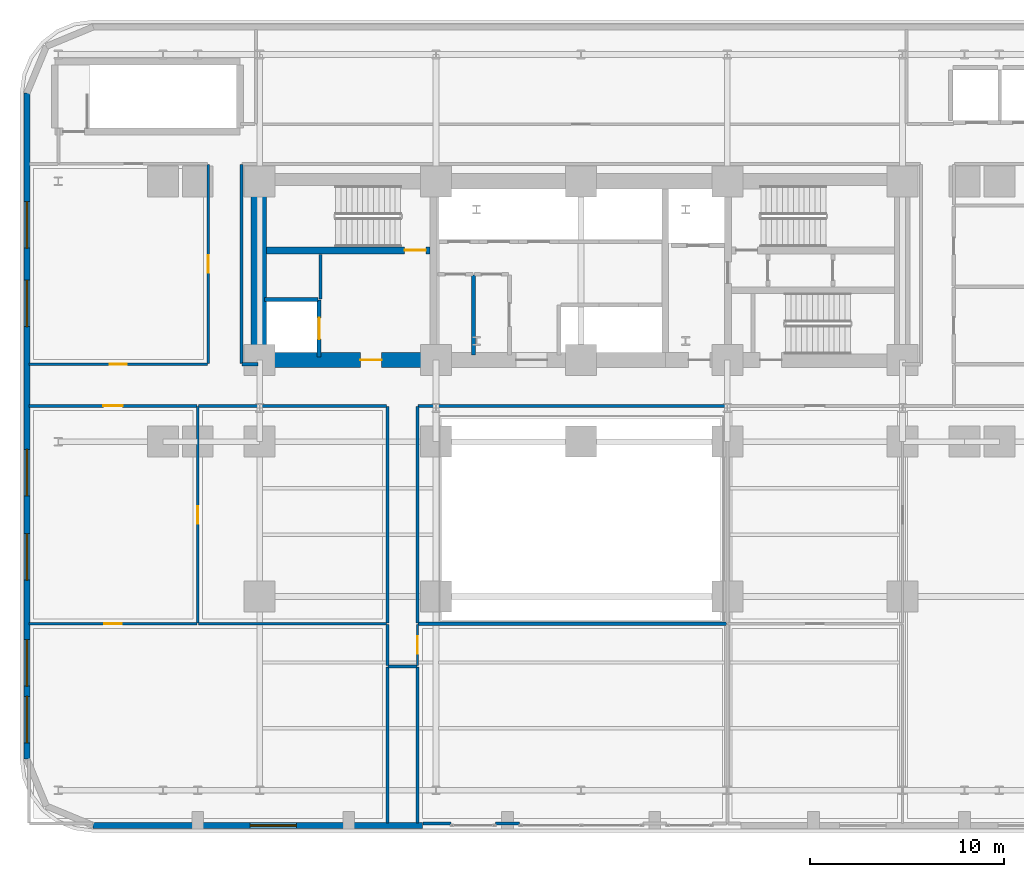
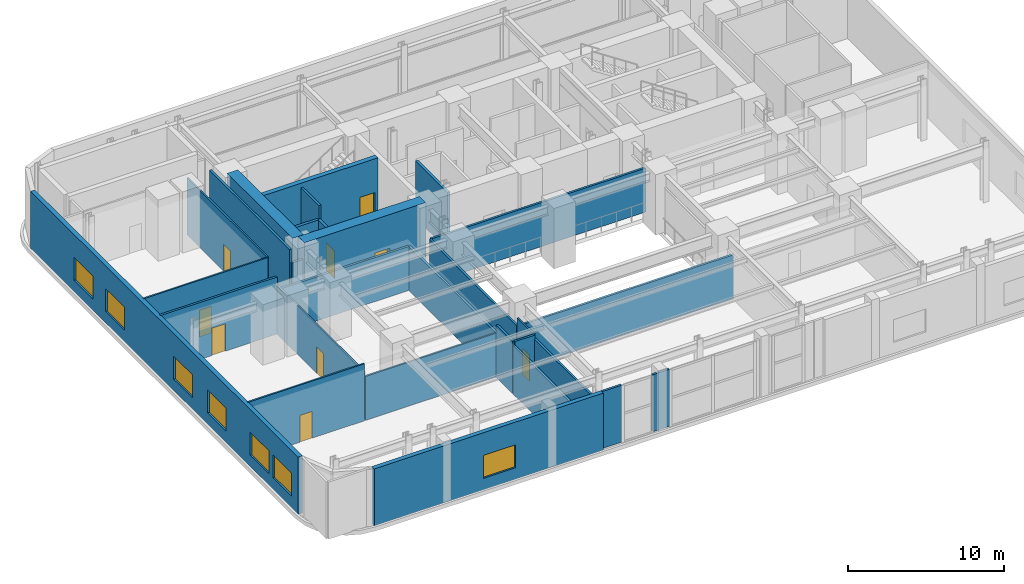
# One storey, part 6 of 15: 29 walls, 9 doors, 7 windows, 16 openings.
"""IFC4 building model written with IfcOpenShell, lengths in metres."""

from ifc_helpers import new_model, si_unit, direction, frame, frame_2d, origin, place, context, subcontext, project, spatial, rectangle, extrude, material, layer, layer_set, type_object, element, fill, save


model = new_model("IFC4")

# Units and contexts
model_context = context("Model", 3, precision=1e-05, world=origin(), true_north=direction((0.0, 1.0)))
body_context = subcontext(model_context, "Body", "Model", "MODEL_VIEW")
ifc_project = project(units=[si_unit("LENGTHUNIT", "METRE"), si_unit("AREAUNIT", "SQUARE_METRE"), si_unit("VOLUMEUNIT", "CUBIC_METRE"), si_unit("PLANEANGLEUNIT", "RADIAN"), si_unit("MASSUNIT", "GRAM", prefix="KILO")], contexts=[model_context])

# Site, building, storey
site_placement = place(None, origin())
site = spatial("IfcSite", under=ifc_project, at=site_placement, CompositionType="ELEMENT")
building_placement = place(site_placement, origin())
building = spatial("IfcBuilding", under=site, at=building_placement, Name="Zarnavel Station Tower", CompositionType="ELEMENT")
storey_placement = place(building_placement, frame((0.0, 0.0, 24.199951171875)))
storey = spatial("IfcBuildingStorey", under=building, at=storey_placement, Name="L06", CompositionType="ELEMENT", Elevation=24.199951171875)

# Wall, opening, door
ifc_material_1 = material(Name="Concrete C50/60", Category="concrete")
ifc_layer_1 = layer(ifc_material_1, 0.35009765625)
ifc_layer_set_1 = layer_set([ifc_layer_1], Name="CW_350")
wall_type_1 = type_object("IfcWallType", Name="CW_350", PredefinedType="SHEAR", material=ifc_layer_set_1)
wall_1_placement = place(storey_placement, frame((21.0048828125, 33.47998046875, 0.0), z_axis=(0.0, 0.0, 1.0), x_axis=(-1.0, 0.0, 0.0)))
wall_1 = element("IfcWall", 1, at=wall_1_placement, inside=storey, type_object=wall_type_1, Name="L06 Rear Core Shear Wall DIV-H1", PredefinedType="SHEAR", context=body_context, shape_type="SweptSolid", body=[
    extrude(rectangle(XDim=8.454833984375, YDim=0.35009765625, at=frame_2d((4.2275390625, 0.0))), origin(), (0.0, 0.0, 1.0), 4.800048828125),
])
opening_1_placement = place(wall_1_placement, frame((0.219970703125, 0.0, 0.0)))
opening_1 = element("IfcOpeningElement", 2, at=opening_1_placement, cuts=wall_1, Name="Opening FD01", PredefinedType="OPENING", context=body_context, shape_type="SweptSolid", body=[
    extrude(rectangle(XDim=1.10009765625, YDim=2.14990234375, at=frame_2d((0.550048828125, 1.074951171875))), frame((0.0, 0.18505859375, 0.0), z_axis=(0.0, -1.0, 0.0), x_axis=(1.0, 0.0, 0.0)), (0.0, 0.0, 1.0), 0.3701171875),
])
ifc_material_2 = material(Name="Painted Galvanised Steel and Hardwood Leaf", Category="steel")
door_type_1 = type_object("IfcDoorType", Name="ID_STAIR_1100", OperationType="NOTDEFINED", PredefinedType="DOOR", material=ifc_material_2)
door_1_placement = place(opening_1_placement, origin())
door_1 = element("IfcDoor", 3, at=door_1_placement, inside=storey, type_object=door_type_1, Name="L06 Stair ST1 Lobby Fire Door", OperationType="SINGLE_SWING_LEFT", OverallHeight=2.14990234375, OverallWidth=1.10009765625, PredefinedType="DOOR", context=body_context, shape_type="SweptSolid", body=[
    extrude(rectangle(XDim=1.10009765625, YDim=2.14990234375, at=frame_2d((0.550048828125, 1.074951171875))), frame((0.0, 0.02490234375, 0.0), z_axis=(0.0, -1.0, 0.0), x_axis=(1.0, 0.0, 0.0)), (0.0, 0.0, 1.0), 0.050048828125),
])
fill(opening_1, door_1)

ifc_material_3 = material(Name="Concrete C60/75", Category="concrete")
ifc_layer_2 = layer(ifc_material_3, 0.800048828125)
ifc_layer_set_2 = layer_set([ifc_layer_2], Name="CW_800")
wall_type_2 = type_object("IfcWallType", Name="CW_800", PredefinedType="SHEAR", material=ifc_layer_set_2)
wall_2_placement = place(storey_placement, frame((21.179931640625, 27.820068359375, 0.0), z_axis=(0.0, 0.0, 1.0), x_axis=(-1.0, 0.0, 0.0)))
wall_2 = element("IfcWall", 4, at=wall_2_placement, inside=storey, type_object=wall_type_2, Name="L06 Rear Core Shear Wall S-W", PredefinedType="SHEAR", context=body_context, shape_type="SweptSolid", body=[
    extrude(rectangle(XDim=9.030029296875, YDim=0.800048828125, at=frame_2d((4.51513671875, 0.0))), origin(), (0.0, 0.0, 1.0), 4.800048828125),
])
opening_2_placement = place(wall_2_placement, frame((2.679931640625, 0.0, 0.0)))
opening_2 = element("IfcOpeningElement", 5, at=opening_2_placement, cuts=wall_2, Name="Opening FD01", PredefinedType="OPENING", context=body_context, shape_type="SweptSolid", body=[
    extrude(rectangle(XDim=1.10009765625, YDim=2.14990234375, at=frame_2d((0.550048828125, 1.074951171875))), frame((0.0, 0.409912109375, 0.0), z_axis=(0.0, -1.0, 0.0), x_axis=(1.0, 0.0, 0.0)), (0.0, 0.0, 1.0), 0.820068359375),
])
door_2_placement = place(opening_2_placement, origin())
door_2 = element("IfcDoor", 6, at=door_2_placement, inside=storey, type_object=door_type_1, Name="L06 West Firefighting Lobby Door", OperationType="SINGLE_SWING_RIGHT", OverallHeight=2.14990234375, OverallWidth=1.10009765625, PredefinedType="DOOR", context=body_context, shape_type="SweptSolid", body=[
    extrude(rectangle(XDim=1.10009765625, YDim=2.14990234375, at=frame_2d((0.550048828125, 1.074951171875))), frame((0.0, 0.02490234375, 0.0), z_axis=(0.0, -1.0, 0.0), x_axis=(1.0, 0.0, 0.0)), (0.0, 0.0, 1.0), 0.050048828125),
])
fill(opening_2, door_2)

# Wall
wall_3_placement = place(storey_placement, frame((12.14990234375, 28.219970703125, 0.0), z_axis=(0.0, 0.0, 1.0), x_axis=(0.0, 1.0, 0.0)))
element("IfcWall", 7, at=wall_3_placement, inside=storey, type_object=wall_type_2, Name="L06 Rear Core Shear Wall W", PredefinedType="SHEAR", context=body_context, shape_type="SweptSolid", body=[
    extrude(rectangle(XDim=8.429931640625, YDim=0.800048828125, at=frame_2d((4.21484375, 0.0))), origin(), (0.0, 0.0, 1.0), 4.800048828125),
])

# Wall, openings, windows
ifc_material_4 = material(Name="Precast concrete C45/55 (Podium Basalt Frame)", Category="masonry")
ifc_layer_3 = layer(ifc_material_4, 0.320068359375)
ifc_layer_set_3 = layer_set([ifc_layer_3], Name="EW_BASALT_320")
wall_type_3 = type_object("IfcWallType", Name="EW_BASALT_320", PredefinedType="SOLIDWALL", material=ifc_layer_set_3)
wall_4_placement = place(storey_placement, frame((0.179931640625, 7.199951171875, 0.0), z_axis=(0.0, 0.0, 1.0), x_axis=(0.0, 1.0, 0.0)))
wall_4 = element("IfcWall", 8, at=wall_4_placement, inside=storey, type_object=wall_type_3, Name="L06 Exterior Basalt Masonry Frame Wall 09", PredefinedType="SOLIDWALL", context=body_context, shape_type="SweptSolid", body=[
    extrude(rectangle(XDim=34.400146484375, YDim=0.320068359375, at=frame_2d((17.2001953125, 0.0))), origin(), (0.0, 0.0, 1.0), 4.47998046875),
])
opening_3_placement = place(wall_4_placement, frame((22.35009765625, 0.0, 0.89990234375)))
opening_3 = element("IfcOpeningElement", 9, at=opening_3_placement, cuts=wall_4, Name="Opening WN03", PredefinedType="OPENING", context=body_context, shape_type="SweptSolid", body=[
    extrude(rectangle(XDim=2.39990234375, YDim=1.800048828125, at=frame_2d((1.199951171875, 0.89990234375))), frame((0.0, 0.169921875, 0.0), z_axis=(0.0, -1.0, 0.0), x_axis=(1.0, 0.0, 0.0)), (0.0, 0.0, 1.0), 0.340087890625),
])
opening_4_placement = place(wall_4_placement, frame((26.39990234375, 0.0, 0.89990234375)))
opening_4 = element("IfcOpeningElement", 10, at=opening_4_placement, cuts=wall_4, Name="Opening WN03", PredefinedType="OPENING", context=body_context, shape_type="SweptSolid", body=[
    extrude(rectangle(XDim=2.39990234375, YDim=1.800048828125, at=frame_2d((1.199951171875, 0.89990234375))), frame((0.0, 0.169921875, 0.0), z_axis=(0.0, -1.0, 0.0), x_axis=(1.0, 0.0, 0.0)), (0.0, 0.0, 1.0), 0.340087890625),
])
opening_5_placement = place(wall_4_placement, frame((0.8466796875, 0.0, 0.89990234375)))
opening_5 = element("IfcOpeningElement", 11, at=opening_5_placement, cuts=wall_4, Name="Opening WN03", PredefinedType="OPENING", context=body_context, shape_type="SweptSolid", body=[
    extrude(rectangle(XDim=2.39990234375, YDim=1.800048828125, at=frame_2d((1.199951171875, 0.89990234375))), frame((0.0, 0.169921875, 0.0), z_axis=(0.0, -1.0, 0.0), x_axis=(1.0, 0.0, 0.0)), (0.0, 0.0, 1.0), 0.340087890625),
])
opening_6_placement = place(wall_4_placement, frame((3.773193359375, 0.0, 0.89990234375)))
opening_6 = element("IfcOpeningElement", 12, at=opening_6_placement, cuts=wall_4, Name="Opening WN03", PredefinedType="OPENING", context=body_context, shape_type="SweptSolid", body=[
    extrude(rectangle(XDim=2.39990234375, YDim=1.800048828125, at=frame_2d((1.199951171875, 0.89990234375))), frame((0.0, 0.169921875, 0.0), z_axis=(0.0, -1.0, 0.0), x_axis=(1.0, 0.0, 0.0)), (0.0, 0.0, 1.0), 0.340087890625),
])
opening_7_placement = place(wall_4_placement, frame((9.25, 0.0, 0.89990234375)))
opening_7 = element("IfcOpeningElement", 13, at=opening_7_placement, cuts=wall_4, Name="Opening WN03", PredefinedType="OPENING", context=body_context, shape_type="SweptSolid", body=[
    extrude(rectangle(XDim=2.39990234375, YDim=1.800048828125, at=frame_2d((1.199951171875, 0.89990234375))), frame((0.0, 0.169921875, 0.0), z_axis=(0.0, -1.0, 0.0), x_axis=(1.0, 0.0, 0.0)), (0.0, 0.0, 1.0), 0.340087890625),
])
opening_8_placement = place(wall_4_placement, frame((13.60009765625, 0.0, 0.89990234375)))
opening_8 = element("IfcOpeningElement", 14, at=opening_8_placement, cuts=wall_4, Name="Opening WN03", PredefinedType="OPENING", context=body_context, shape_type="SweptSolid", body=[
    extrude(rectangle(XDim=2.39990234375, YDim=1.800048828125, at=frame_2d((1.199951171875, 0.89990234375))), frame((0.0, 0.169921875, 0.0), z_axis=(0.0, -1.0, 0.0), x_axis=(1.0, 0.0, 0.0)), (0.0, 0.0, 1.0), 0.340087890625),
])
ifc_material_5 = material(Name="Thermally Broken Black Aluminium and Low-E Dark Glass", Category="aluminium")
window_type = type_object("IfcWindowType", Name="WN_2400x1800", PartitioningType="TRIPLE_PANEL_VERTICAL", PredefinedType="WINDOW", material=ifc_material_5)
window_1_placement = place(opening_3_placement, origin())
window_1 = element("IfcWindow", 15, at=window_1_placement, inside=storey, type_object=window_type, Name="L06 Recessed Facade Window 01", OverallHeight=1.800048828125, OverallWidth=2.39990234375, PartitioningType="SINGLE_PANEL", PredefinedType="WINDOW", context=body_context, shape_type="SweptSolid", body=[
    extrude(rectangle(XDim=2.39990234375, YDim=1.800048828125, at=frame_2d((1.199951171875, 0.89990234375))), frame((0.0, 0.030029296875, 0.0), z_axis=(0.0, -1.0, 0.0), x_axis=(1.0, 0.0, 0.0)), (0.0, 0.0, 1.0), 0.06005859375),
])
fill(opening_3, window_1)
window_2_placement = place(opening_4_placement, origin())
window_2 = element("IfcWindow", 16, at=window_2_placement, inside=storey, type_object=window_type, Name="L06 Recessed Facade Window 02", OverallHeight=1.800048828125, OverallWidth=2.39990234375, PartitioningType="SINGLE_PANEL", PredefinedType="WINDOW", context=body_context, shape_type="SweptSolid", body=[
    extrude(rectangle(XDim=2.39990234375, YDim=1.800048828125, at=frame_2d((1.199951171875, 0.89990234375))), frame((0.0, 0.030029296875, 0.0), z_axis=(0.0, -1.0, 0.0), x_axis=(1.0, 0.0, 0.0)), (0.0, 0.0, 1.0), 0.06005859375),
])
fill(opening_4, window_2)
window_3_placement = place(opening_5_placement, origin())
window_3 = element("IfcWindow", 17, at=window_3_placement, inside=storey, type_object=window_type, Name="L06 Recessed Facade Window 03", OverallHeight=1.800048828125, OverallWidth=2.39990234375, PartitioningType="SINGLE_PANEL", PredefinedType="WINDOW", context=body_context, shape_type="SweptSolid", body=[
    extrude(rectangle(XDim=2.39990234375, YDim=1.800048828125, at=frame_2d((1.199951171875, 0.89990234375))), frame((0.0, 0.030029296875, 0.0), z_axis=(0.0, -1.0, 0.0), x_axis=(1.0, 0.0, 0.0)), (0.0, 0.0, 1.0), 0.06005859375),
])
fill(opening_5, window_3)
window_4_placement = place(opening_6_placement, origin())
window_4 = element("IfcWindow", 18, at=window_4_placement, inside=storey, type_object=window_type, Name="L06 Recessed Facade Window 04", OverallHeight=1.800048828125, OverallWidth=2.39990234375, PartitioningType="SINGLE_PANEL", PredefinedType="WINDOW", context=body_context, shape_type="SweptSolid", body=[
    extrude(rectangle(XDim=2.39990234375, YDim=1.800048828125, at=frame_2d((1.199951171875, 0.89990234375))), frame((0.0, 0.030029296875, 0.0), z_axis=(0.0, -1.0, 0.0), x_axis=(1.0, 0.0, 0.0)), (0.0, 0.0, 1.0), 0.06005859375),
])
fill(opening_6, window_4)
window_5_placement = place(opening_7_placement, origin())
window_5 = element("IfcWindow", 19, at=window_5_placement, inside=storey, type_object=window_type, Name="L06 Recessed Facade Window 05", OverallHeight=1.800048828125, OverallWidth=2.39990234375, PartitioningType="SINGLE_PANEL", PredefinedType="WINDOW", context=body_context, shape_type="SweptSolid", body=[
    extrude(rectangle(XDim=2.39990234375, YDim=1.800048828125, at=frame_2d((1.199951171875, 0.89990234375))), frame((0.0, 0.030029296875, 0.0), z_axis=(0.0, -1.0, 0.0), x_axis=(1.0, 0.0, 0.0)), (0.0, 0.0, 1.0), 0.06005859375),
])
fill(opening_7, window_5)
window_6_placement = place(opening_8_placement, origin())
window_6 = element("IfcWindow", 20, at=window_6_placement, inside=storey, type_object=window_type, Name="L06 Recessed Facade Window 06", OverallHeight=1.800048828125, OverallWidth=2.39990234375, PartitioningType="SINGLE_PANEL", PredefinedType="WINDOW", context=body_context, shape_type="SweptSolid", body=[
    extrude(rectangle(XDim=2.39990234375, YDim=1.800048828125, at=frame_2d((1.199951171875, 0.89990234375))), frame((0.0, 0.030029296875, 0.0), z_axis=(0.0, -1.0, 0.0), x_axis=(1.0, 0.0, 0.0)), (0.0, 0.0, 1.0), 0.06005859375),
])
fill(opening_8, window_6)

# Wall, opening, window
wall_5_placement = place(storey_placement, frame((20.60009765625, 3.780029296875, 0.0), z_axis=(0.0, 0.0, 1.0), x_axis=(-1.0, 0.0, 0.0)))
wall_5 = element("IfcWall", 21, at=wall_5_placement, inside=storey, type_object=wall_type_3, Name="L06 South West Masonry Facade Wall", PredefinedType="SOLIDWALL", context=body_context, shape_type="SweptSolid", body=[
    extrude(rectangle(XDim=17.0, YDim=0.320068359375, at=frame_2d((8.5, 0.0))), origin(), (0.0, 0.0, 1.0), 4.47998046875),
])
opening_9_placement = place(wall_5_placement, frame((6.5, 0.0, 0.89990234375)))
opening_9 = element("IfcOpeningElement", 22, at=opening_9_placement, cuts=wall_5, Name="Opening WN03", PredefinedType="OPENING", context=body_context, shape_type="SweptSolid", body=[
    extrude(rectangle(XDim=2.39990234375, YDim=1.800048828125, at=frame_2d((1.199951171875, 0.89990234375))), frame((0.0, 0.169921875, 0.0), z_axis=(0.0, -1.0, 0.0), x_axis=(1.0, 0.0, 0.0)), (0.0, 0.0, 1.0), 0.340087890625),
])
window_7_placement = place(opening_9_placement, origin())
window_7 = element("IfcWindow", 23, at=window_7_placement, inside=storey, type_object=window_type, Name="L06 Recessed Facade Window 01", OverallHeight=1.800048828125, OverallWidth=2.39990234375, PartitioningType="SINGLE_PANEL", PredefinedType="WINDOW", context=body_context, shape_type="SweptSolid", body=[
    extrude(rectangle(XDim=2.39990234375, YDim=1.800048828125, at=frame_2d((1.199951171875, 0.89990234375))), frame((0.0, 0.030029296875, 0.0), z_axis=(0.0, -1.0, 0.0), x_axis=(1.0, 0.0, 0.0)), (0.0, 0.0, 1.0), 0.06005859375),
])
fill(opening_9, window_7)

# Wall, opening, door
ifc_material_6 = material(Name="Gypsum Twin-Stud Acoustic Fire Partition", Category="concrete")
ifc_layer_4 = layer(ifc_material_6, 0.159912109375)
ifc_layer_set_4 = layer_set([ifc_layer_4], Name="PT_DEMISE_160")
wall_type_4 = type_object("IfcWallType", Name="PT_DEMISE_160", PredefinedType="PARTITIONING", material=ifc_layer_set_4)
wall_6_placement = place(storey_placement, frame((0.280029296875, 25.449951171875, 0.0), z_axis=(0.0, 0.0, 1.0), x_axis=(1.0, 0.0, 0.0)))
wall_6 = element("IfcWall", 24, at=wall_6_placement, inside=storey, type_object=wall_type_4, Name="L06 Partition PCOR-S-TRMT1", PredefinedType="PARTITIONING", context=body_context, shape_type="SweptSolid", body=[
    extrude(rectangle(XDim=8.679931640625, YDim=0.159912109375, at=frame_2d((4.33984375, 0.0))), origin(), (0.0, 0.0, 1.0), 4.47998046875),
])
opening_10_placement = place(wall_6_placement, frame((3.840087890625, 0.0, 0.0)))
opening_10 = element("IfcOpeningElement", 25, at=opening_10_placement, cuts=wall_6, Name="Opening FD02", PredefinedType="OPENING", context=body_context, shape_type="SweptSolid", body=[
    extrude(rectangle(XDim=1.0, YDim=2.14990234375, at=frame_2d((0.5, 1.074951171875))), frame((0.0, 0.08984375, 0.0), z_axis=(0.0, -1.0, 0.0), x_axis=(1.0, 0.0, 0.0)), (0.0, 0.0, 1.0), 0.179931640625),
])
ifc_material_7 = material(Name="Painted Galvanised Steel and Hardwood Leaf", Category="steel")
door_type_2 = type_object("IfcDoorType", Name="ID_ENTRY_1000", OperationType="NOTDEFINED", PredefinedType="DOOR", material=ifc_material_7)
door_3_placement = place(opening_10_placement, origin())
door_3 = element("IfcDoor", 26, at=door_3_placement, inside=storey, type_object=door_type_2, Name="L06 Door PCOR-S-TRMT1", OperationType="SINGLE_SWING_RIGHT", OverallHeight=2.14990234375, OverallWidth=1.0, PredefinedType="DOOR", context=body_context, shape_type="SweptSolid", body=[
    extrude(rectangle(XDim=1.0, YDim=2.14990234375, at=frame_2d((0.5, 1.074951171875))), frame((0.0, 0.02490234375, 0.0), z_axis=(0.0, -1.0, 0.0), x_axis=(1.0, 0.0, 0.0)), (0.0, 0.0, 1.0), 0.050048828125),
])
fill(opening_10, door_3)

# Walls
wall_7_placement = place(storey_placement, frame((9.0400390625, 25.449951171875, 0.0), z_axis=(0.0, 0.0, 1.0), x_axis=(1.0, 0.0, 0.0)))
element("IfcWall", 27, at=wall_7_placement, inside=storey, type_object=wall_type_4, Name="L06 Partition PCOR-S-TRMT2", PredefinedType="PARTITIONING", context=body_context, shape_type="SweptSolid", body=[
    extrude(rectangle(XDim=9.719970703125, YDim=0.159912109375, at=frame_2d((4.85986328125, 0.0))), origin(), (0.0, 0.0, 1.0), 3.4521484375),
])
wall_8_placement = place(storey_placement, frame((18.800048828125, 12.0400390625, 0.0), z_axis=(0.0, 0.0, 1.0), x_axis=(0.0, 1.0, 0.0)))
element("IfcWall", 28, at=wall_8_placement, inside=storey, type_object=wall_type_4, Name="L06 Partition PCOR-AW-SPA", PredefinedType="PARTITIONING", context=body_context, shape_type="SweptSolid", body=[
    extrude(rectangle(XDim=2.119873046875, YDim=0.159912109375, at=frame_2d((1.06005859375, 0.0))), origin(), (0.0, 0.0, 1.0), 4.10009765625),
])
wall_9_placement = place(storey_placement, frame((18.800048828125, 14.239990234375, 0.0), z_axis=(0.0, 0.0, 1.0), x_axis=(0.0, 1.0, 0.0)))
element("IfcWall", 29, at=wall_9_placement, inside=storey, type_object=wall_type_4, Name="L06 Partition PCOR-AW-TRMT2", PredefinedType="PARTITIONING", context=body_context, shape_type="SweptSolid", body=[
    extrude(rectangle(XDim=11.169921875, YDim=0.159912109375, at=frame_2d((5.5849609375, 0.0))), origin(), (0.0, 0.0, 1.0), 3.4521484375),
])
wall_10_placement = place(storey_placement, frame((15.35009765625, 30.9599609375, 0.0), z_axis=(0.0, 0.0, 1.0), x_axis=(0.0, 1.0, 0.0)))
element("IfcWall", 30, at=wall_10_placement, inside=storey, type_object=wall_type_4, Name="L06 Enclosure Wall FFL1", PredefinedType="PARTITIONING", context=body_context, shape_type="SweptSolid", body=[
    extrude(rectangle(XDim=2.31005859375, YDim=0.159912109375, at=frame_2d((1.155029296875, 0.0))), origin(), (0.0, 0.0, 1.0), 4.47998046875),
])
wall_11_placement = place(storey_placement, frame((20.3798828125, 25.449951171875, 0.0), z_axis=(0.0, 0.0, 1.0), x_axis=(1.0, 0.0, 0.0)))
element("IfcWall", 31, at=wall_11_placement, inside=storey, type_object=wall_type_4, Name="L06 Enclosure Wall PCOR-S", PredefinedType="PARTITIONING", context=body_context, shape_type="SweptSolid", body=[
    extrude(rectangle(XDim=15.940185546875, YDim=0.159912109375, at=frame_2d((7.97021484375, 0.0))), origin(), (0.0, 0.0, 1.0), 3.4521484375),
])
wall_12_placement = place(storey_placement, frame((11.280029296875, 27.60009765625, 0.0), z_axis=(0.0, 0.0, 1.0), x_axis=(1.0, 0.0, 0.0)))
element("IfcWall", 32, at=wall_12_placement, inside=storey, type_object=wall_type_4, Name="L06 Enclosure Wall PCOR-S", PredefinedType="PARTITIONING", context=body_context, shape_type="SweptSolid", body=[
    extrude(rectangle(XDim=0.840087890625, YDim=0.159912109375, at=frame_2d((0.419921875, 0.0))), origin(), (0.0, 0.0, 1.0), 3.4521484375),
])
wall_13_placement = place(storey_placement, frame((11.25, 27.6298828125, 0.0), z_axis=(0.0, 0.0, 1.0), x_axis=(0.0, 1.0, 0.0)))
element("IfcWall", 33, at=wall_13_placement, inside=storey, type_object=wall_type_4, Name="L06 Enclosure Wall PCOR-W", PredefinedType="PARTITIONING", context=body_context, shape_type="SweptSolid", body=[
    extrude(rectangle(XDim=10.2900390625, YDim=0.159912109375, at=frame_2d((5.14501953125, 0.0))), origin(), (0.0, 0.0, 1.0), 4.47998046875),
])
wall_14_placement = place(storey_placement, frame((18.830078125, 12.0, 0.0), z_axis=(0.0, 0.0, 1.0), x_axis=(1.0, 0.0, 0.0)))
element("IfcWall", 34, at=wall_14_placement, inside=storey, type_object=wall_type_4, Name="L06 Enclosure Wall PCOR-AW", PredefinedType="PARTITIONING", context=body_context, shape_type="SweptSolid", body=[
    extrude(rectangle(XDim=1.489990234375, YDim=0.159912109375, at=frame_2d((0.7451171875, 0.0))), origin(), (0.0, 0.0, 1.0), 4.10009765625),
])
wall_15_placement = place(storey_placement, frame((20.35009765625, 14.22998046875, 0.0), z_axis=(0.0, 0.0, 1.0), x_axis=(0.0, 1.0, 0.0)))
element("IfcWall", 35, at=wall_15_placement, inside=storey, type_object=wall_type_4, Name="L06 Enclosure Wall PCOR-AW", PredefinedType="PARTITIONING", context=body_context, shape_type="SweptSolid", body=[
    extrude(rectangle(XDim=11.18994140625, YDim=0.159912109375, at=frame_2d((5.594970703125, 0.0))), origin(), (0.0, 0.0, 1.0), 3.4521484375),
])
wall_16_placement = place(storey_placement, frame((18.800048828125, 3.909912109375, 0.0), z_axis=(0.0, 0.0, 1.0), x_axis=(0.0, 1.0, 0.0)))
element("IfcWall", 36, at=wall_16_placement, inside=storey, type_object=wall_type_4, Name="L06 Enclosure Wall SPA", PredefinedType="PARTITIONING", context=body_context, shape_type="SweptSolid", body=[
    extrude(rectangle(XDim=8.06005859375, YDim=0.159912109375, at=frame_2d((4.030029296875, 0.0))), origin(), (0.0, 0.0, 1.0), 3.81005859375),
])
wall_17_placement = place(storey_placement, frame((20.6298828125, 3.8798828125, 0.0), z_axis=(0.0, 0.0, 1.0), x_axis=(1.0, 0.0, 0.0)))
element("IfcWall", 37, at=wall_17_placement, inside=storey, type_object=wall_type_4, Name="L06 Enclosure Wall LOUN", PredefinedType="PARTITIONING", context=body_context, shape_type="SweptSolid", body=[
    extrude(rectangle(XDim=1.440185546875, YDim=0.159912109375, at=frame_2d((0.72021484375, 0.0))), origin(), (0.0, 0.0, 1.0), 4.47998046875),
])
wall_18_placement = place(storey_placement, frame((24.385986328125, 3.8798828125, 0.0), z_axis=(0.0, 0.0, 1.0), x_axis=(1.0, 0.0, 0.0)))
element("IfcWall", 38, at=wall_18_placement, inside=storey, type_object=wall_type_4, Name="L06 Enclosure Wall LOUN", PredefinedType="PARTITIONING", context=body_context, shape_type="SweptSolid", body=[
    extrude(rectangle(XDim=1.22802734375, YDim=0.159912109375, at=frame_2d((0.614013671875, 0.0))), origin(), (0.0, 0.0, 1.0), 4.47998046875),
])
wall_19_placement = place(storey_placement, frame((20.3798828125, 14.199951171875, 0.0), z_axis=(0.0, 0.0, 1.0), x_axis=(1.0, 0.0, 0.0)))
element("IfcWall", 39, at=wall_19_placement, inside=storey, type_object=wall_type_4, Name="L06 Enclosure Wall LOUN", PredefinedType="PARTITIONING", context=body_context, shape_type="SweptSolid", body=[
    extrude(rectangle(XDim=15.940185546875, YDim=0.159912109375, at=frame_2d((7.97021484375, 0.0))), origin(), (0.0, 0.0, 1.0), 3.4521484375),
])
wall_20_placement = place(storey_placement, frame((20.35009765625, 3.909912109375, 0.0), z_axis=(0.0, 0.0, 1.0), x_axis=(0.0, 1.0, 0.0)))
element("IfcWall", 40, at=wall_20_placement, inside=storey, type_object=wall_type_4, Name="L06 Enclosure Wall LOUN", PredefinedType="PARTITIONING", context=body_context, shape_type="SweptSolid", body=[
    extrude(rectangle(XDim=8.06005859375, YDim=0.159912109375, at=frame_2d((4.030029296875, 0.0))), origin(), (0.0, 0.0, 1.0), 3.81005859375),
])

# Wall, opening, door
ifc_material_8 = material(Name="Gypsum Metal-Stud Interior Partition", Category="concrete")
ifc_layer_5 = layer(ifc_material_8, 0.1201171875)
ifc_layer_set_5 = layer_set([ifc_layer_5], Name="PT_ROOM_120")
wall_type_5 = type_object("IfcWallType", Name="PT_ROOM_120", PredefinedType="PARTITIONING", material=ifc_layer_set_5)
wall_21_placement = place(storey_placement, frame((0.280029296875, 27.60009765625, 0.0), z_axis=(0.0, 0.0, 1.0), x_axis=(1.0, 0.0, 0.0)))
wall_21 = element("IfcWall", 41, at=wall_21_placement, inside=storey, type_object=wall_type_5, Name="L06 Partition PCOR-S-PNW", PredefinedType="PARTITIONING", context=body_context, shape_type="SweptSolid", body=[
    extrude(rectangle(XDim=9.22998046875, YDim=0.1201171875, at=frame_2d((4.614990234375, 0.0))), origin(), (0.0, 0.0, 1.0), 4.47998046875),
])
opening_11_placement = place(wall_21_placement, frame((4.1650390625, 0.0, 0.0)))
opening_11 = element("IfcOpeningElement", 42, at=opening_11_placement, cuts=wall_21, Name="Opening ID01", PredefinedType="OPENING", context=body_context, shape_type="SweptSolid", body=[
    extrude(rectangle(XDim=0.89990234375, YDim=2.10009765625, at=frame_2d((0.449951171875, 1.050048828125))), frame((0.0, 0.070068359375, 0.0), z_axis=(0.0, -1.0, 0.0), x_axis=(1.0, 0.0, 0.0)), (0.0, 0.0, 1.0), 0.14013671875),
])
ifc_material_9 = material(Name="Painted Galvanised Steel and Hardwood Leaf", Category="steel")
door_type_3 = type_object("IfcDoorType", Name="ID_ROOM_900", OperationType="NOTDEFINED", PredefinedType="DOOR", material=ifc_material_9)
door_4_placement = place(opening_11_placement, origin())
door_4 = element("IfcDoor", 43, at=door_4_placement, inside=storey, type_object=door_type_3, Name="L06 Door PCOR-S-PNW", OperationType="SINGLE_SWING_LEFT", OverallHeight=2.10009765625, OverallWidth=0.89990234375, PredefinedType="DOOR", context=body_context, shape_type="SweptSolid", body=[
    extrude(rectangle(XDim=0.89990234375, YDim=2.10009765625, at=frame_2d((0.449951171875, 1.050048828125))), frame((0.0, 0.02490234375, 0.0), z_axis=(0.0, -1.0, 0.0), x_axis=(1.0, 0.0, 0.0)), (0.0, 0.0, 1.0), 0.050048828125),
])
fill(opening_11, door_4)

wall_22_placement = place(storey_placement, frame((9.550048828125, 27.639892578125, 0.0), z_axis=(0.0, 0.0, 1.0), x_axis=(0.0, 1.0, 0.0)))
wall_22 = element("IfcWall", 44, at=wall_22_placement, inside=storey, type_object=wall_type_5, Name="L06 Partition PCOR-W-PNW", PredefinedType="PARTITIONING", context=body_context, shape_type="SweptSolid", body=[
    extrude(rectangle(XDim=10.27001953125, YDim=0.1201171875, at=frame_2d((5.135009765625, 0.0))), origin(), (0.0, 0.0, 1.0), 4.47998046875),
])
opening_12_placement = place(wall_22_placement, frame((4.68505859375, 0.0, 0.0)))
opening_12 = element("IfcOpeningElement", 45, at=opening_12_placement, cuts=wall_22, Name="Opening ID01", PredefinedType="OPENING", context=body_context, shape_type="SweptSolid", body=[
    extrude(rectangle(XDim=0.89990234375, YDim=2.10009765625, at=frame_2d((0.449951171875, 1.050048828125))), frame((0.0, 0.070068359375, 0.0), z_axis=(0.0, -1.0, 0.0), x_axis=(1.0, 0.0, 0.0)), (0.0, 0.0, 1.0), 0.14013671875),
])
door_5_placement = place(opening_12_placement, origin())
door_5 = element("IfcDoor", 46, at=door_5_placement, inside=storey, type_object=door_type_3, Name="L06 Door PCOR-W-PNW", OperationType="SINGLE_SWING_RIGHT", OverallHeight=2.10009765625, OverallWidth=0.89990234375, PredefinedType="DOOR", context=body_context, shape_type="SweptSolid", body=[
    extrude(rectangle(XDim=0.89990234375, YDim=2.10009765625, at=frame_2d((0.449951171875, 1.050048828125))), frame((0.0, 0.02490234375, 0.0), z_axis=(0.0, -1.0, 0.0), x_axis=(1.0, 0.0, 0.0)), (0.0, 0.0, 1.0), 0.050048828125),
])
fill(opening_12, door_5)

wall_23_placement = place(storey_placement, frame((20.35009765625, 12.0400390625, 0.0), z_axis=(0.0, 0.0, 1.0), x_axis=(0.0, 1.0, 0.0)))
wall_23 = element("IfcWall", 47, at=wall_23_placement, inside=storey, type_object=wall_type_5, Name="L06 Partition PCOR-AW-LOUN", PredefinedType="PARTITIONING", context=body_context, shape_type="SweptSolid", body=[
    extrude(rectangle(XDim=2.119873046875, YDim=0.1201171875, at=frame_2d((1.06005859375, 0.0))), origin(), (0.0, 0.0, 1.0), 4.10009765625),
])
opening_13_placement = place(wall_23_placement, frame((0.610107421875, 0.0, 0.0)))
opening_13 = element("IfcOpeningElement", 48, at=opening_13_placement, cuts=wall_23, Name="Opening ID01", PredefinedType="OPENING", context=body_context, shape_type="SweptSolid", body=[
    extrude(rectangle(XDim=0.89990234375, YDim=2.10009765625, at=frame_2d((0.449951171875, 1.050048828125))), frame((0.0, 0.070068359375, 0.0), z_axis=(0.0, -1.0, 0.0), x_axis=(1.0, 0.0, 0.0)), (0.0, 0.0, 1.0), 0.14013671875),
])
door_6_placement = place(opening_13_placement, origin())
door_6 = element("IfcDoor", 49, at=door_6_placement, inside=storey, type_object=door_type_3, Name="L06 Door PCOR-AW-LOUN", OperationType="SINGLE_SWING_RIGHT", OverallHeight=2.10009765625, OverallWidth=0.89990234375, PredefinedType="DOOR", context=body_context, shape_type="SweptSolid", body=[
    extrude(rectangle(XDim=0.89990234375, YDim=2.10009765625, at=frame_2d((0.449951171875, 1.050048828125))), frame((0.0, 0.02490234375, 0.0), z_axis=(0.0, -1.0, 0.0), x_axis=(1.0, 0.0, 0.0)), (0.0, 0.0, 1.0), 0.050048828125),
])
fill(opening_13, door_6)

wall_24_placement = place(storey_placement, frame((0.280029296875, 14.199951171875, 0.0), z_axis=(0.0, 0.0, 1.0), x_axis=(1.0, 0.0, 0.0)))
wall_24 = element("IfcWall", 50, at=wall_24_placement, inside=storey, type_object=wall_type_5, Name="L06 Partition SPA-TRMT1", PredefinedType="PARTITIONING", context=body_context, shape_type="SweptSolid", body=[
    extrude(rectangle(XDim=8.679931640625, YDim=0.1201171875, at=frame_2d((4.33984375, 0.0))), origin(), (0.0, 0.0, 1.0), 4.47998046875),
])
opening_14_placement = place(wall_24_placement, frame((3.889892578125, 0.0, 0.0)))
opening_14 = element("IfcOpeningElement", 51, at=opening_14_placement, cuts=wall_24, Name="Opening ID01", PredefinedType="OPENING", context=body_context, shape_type="SweptSolid", body=[
    extrude(rectangle(XDim=0.89990234375, YDim=2.10009765625, at=frame_2d((0.449951171875, 1.050048828125))), frame((0.0, 0.070068359375, 0.0), z_axis=(0.0, -1.0, 0.0), x_axis=(1.0, 0.0, 0.0)), (0.0, 0.0, 1.0), 0.14013671875),
])
door_7_placement = place(opening_14_placement, origin())
door_7 = element("IfcDoor", 52, at=door_7_placement, inside=storey, type_object=door_type_3, Name="L06 Door SPA-TRMT1", OperationType="SINGLE_SWING_LEFT", OverallHeight=2.10009765625, OverallWidth=0.89990234375, PredefinedType="DOOR", context=body_context, shape_type="SweptSolid", body=[
    extrude(rectangle(XDim=0.89990234375, YDim=2.10009765625, at=frame_2d((0.449951171875, 1.050048828125))), frame((0.0, 0.02490234375, 0.0), z_axis=(0.0, -1.0, 0.0), x_axis=(1.0, 0.0, 0.0)), (0.0, 0.0, 1.0), 0.050048828125),
])
fill(opening_14, door_7)

# Wall
wall_25_placement = place(storey_placement, frame((9.0400390625, 14.199951171875, 0.0), z_axis=(0.0, 0.0, 1.0), x_axis=(1.0, 0.0, 0.0)))
element("IfcWall", 53, at=wall_25_placement, inside=storey, type_object=wall_type_5, Name="L06 Partition SPA-TRMT2", PredefinedType="PARTITIONING", context=body_context, shape_type="SweptSolid", body=[
    extrude(rectangle(XDim=9.719970703125, YDim=0.1201171875, at=frame_2d((4.85986328125, 0.0))), origin(), (0.0, 0.0, 1.0), 3.4521484375),
])

# Wall, opening, door
wall_26_placement = place(storey_placement, frame((9.0, 14.239990234375, 0.0), z_axis=(0.0, 0.0, 1.0), x_axis=(0.0, 1.0, 0.0)))
wall_26 = element("IfcWall", 54, at=wall_26_placement, inside=storey, type_object=wall_type_5, Name="L06 Partition TRMT1-TRMT2", PredefinedType="PARTITIONING", context=body_context, shape_type="SweptSolid", body=[
    extrude(rectangle(XDim=11.169921875, YDim=0.1201171875, at=frame_2d((5.5849609375, 0.0))), origin(), (0.0, 0.0, 1.0), 3.81005859375),
])
opening_15_placement = place(wall_26_placement, frame((5.135009765625, 0.0, 0.0)))
opening_15 = element("IfcOpeningElement", 55, at=opening_15_placement, cuts=wall_26, Name="Opening ID01", PredefinedType="OPENING", context=body_context, shape_type="SweptSolid", body=[
    extrude(rectangle(XDim=0.89990234375, YDim=2.10009765625, at=frame_2d((0.449951171875, 1.050048828125))), frame((0.0, 0.070068359375, 0.0), z_axis=(0.0, -1.0, 0.0), x_axis=(1.0, 0.0, 0.0)), (0.0, 0.0, 1.0), 0.14013671875),
])
door_8_placement = place(opening_15_placement, origin())
door_8 = element("IfcDoor", 56, at=door_8_placement, inside=storey, type_object=door_type_3, Name="L06 Door TRMT1-TRMT2", OperationType="SINGLE_SWING_RIGHT", OverallHeight=2.10009765625, OverallWidth=0.89990234375, PredefinedType="DOOR", context=body_context, shape_type="SweptSolid", body=[
    extrude(rectangle(XDim=0.89990234375, YDim=2.10009765625, at=frame_2d((0.449951171875, 1.050048828125))), frame((0.0, 0.02490234375, 0.0), z_axis=(0.0, -1.0, 0.0), x_axis=(1.0, 0.0, 0.0)), (0.0, 0.0, 1.0), 0.050048828125),
])
fill(opening_15, door_8)

ifc_material_10 = material(Name="Precast concrete C45/55 (Fire Shaft Blockwork)", Category="masonry")
ifc_layer_6 = layer(ifc_material_10, 0.199951171875)
ifc_layer_set_6 = layer_set([ifc_layer_6], Name="PT_SHAFT_200")
wall_type_6 = type_object("IfcWallType", Name="PT_SHAFT_200", PredefinedType="PARTITIONING", material=ifc_layer_set_6)
wall_27_placement = place(storey_placement, frame((15.27001953125, 27.969970703125, 0.0), z_axis=(0.0, 0.0, 1.0), x_axis=(0.0, 1.0, 0.0)))
wall_27 = element("IfcWall", 57, at=wall_27_placement, inside=storey, type_object=wall_type_6, Name="L06 Lift FFL-01 Shaft Front Wall", PredefinedType="PARTITIONING", context=body_context, shape_type="SweptSolid", body=[
    extrude(rectangle(XDim=2.9599609375, YDim=0.199951171875, at=frame_2d((1.47998046875, 0.0))), origin(), (0.0, 0.0, 1.0), 3.4521484375),
])
opening_16_placement = place(wall_27_placement, frame((0.929931640625, 0.0, 0.0)))
opening_16 = element("IfcOpeningElement", 58, at=opening_16_placement, cuts=wall_27, Name="Opening LD01", PredefinedType="OPENING", context=body_context, shape_type="SweptSolid", body=[
    extrude(rectangle(XDim=1.10009765625, YDim=2.14990234375, at=frame_2d((0.550048828125, 1.074951171875))), frame((0.0, 0.10986328125, 0.0), z_axis=(0.0, -1.0, 0.0), x_axis=(1.0, 0.0, 0.0)), (0.0, 0.0, 1.0), 0.219970703125),
])
ifc_material_11 = material(Name="Painted Galvanised Steel and Hardwood Leaf", Category="steel")
door_type_4 = type_object("IfcDoorType", Name="LD_FF_1100", OperationType="DOUBLE_DOOR_SLIDING", PredefinedType="DOOR", material=ifc_material_11)
door_9_placement = place(opening_16_placement, origin())
door_9 = element("IfcDoor", 59, at=door_9_placement, inside=storey, type_object=door_type_4, Name="L06 Lift FFL-01 Sliding Landing Door", OperationType="DOUBLE_DOOR_SLIDING", OverallHeight=2.14990234375, OverallWidth=1.10009765625, PredefinedType="DOOR", context=body_context, shape_type="SweptSolid", body=[
    extrude(rectangle(XDim=1.10009765625, YDim=2.14990234375, at=frame_2d((0.550048828125, 1.074951171875))), frame((0.0, 0.02490234375, 0.0), z_axis=(0.0, -1.0, 0.0), x_axis=(1.0, 0.0, 0.0)), (0.0, 0.0, 1.0), 0.050048828125),
])
fill(opening_16, door_9)

# Walls
wall_28_placement = place(storey_placement, frame((12.449951171875, 30.949951171875, 0.0), z_axis=(0.0, 0.0, 1.0), x_axis=(1.0, 0.0, 0.0)))
element("IfcWall", 60, at=wall_28_placement, inside=storey, type_object=wall_type_6, Name="L06 Lift FFL-01 North Shaft Wall", PredefinedType="PARTITIONING", context=body_context, shape_type="SweptSolid", body=[
    extrude(rectangle(XDim=2.75, YDim=0.199951171875, at=frame_2d((1.375, 0.0))), origin(), (0.0, 0.0, 1.0), 3.4521484375),
])
wall_29_placement = place(storey_placement, frame((23.25, 28.090087890625, 0.0), z_axis=(0.0, 0.0, 1.0), x_axis=(0.0, 1.0, 0.0)))
element("IfcWall", 61, at=wall_29_placement, inside=storey, type_object=wall_type_6, Name="L06 Partition CS1-CS2", PredefinedType="PARTITIONING", context=body_context, shape_type="SweptSolid", body=[
    extrude(rectangle(XDim=4.119873046875, YDim=0.199951171875, at=frame_2d((2.06005859375, 0.0))), origin(), (0.0, 0.0, 1.0), 4.47998046875),
])

save(model, "model.ifc")
